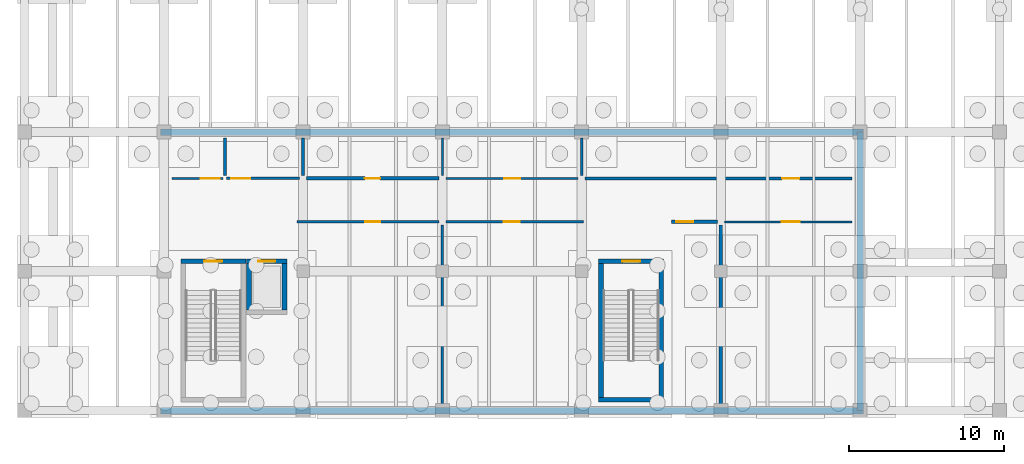
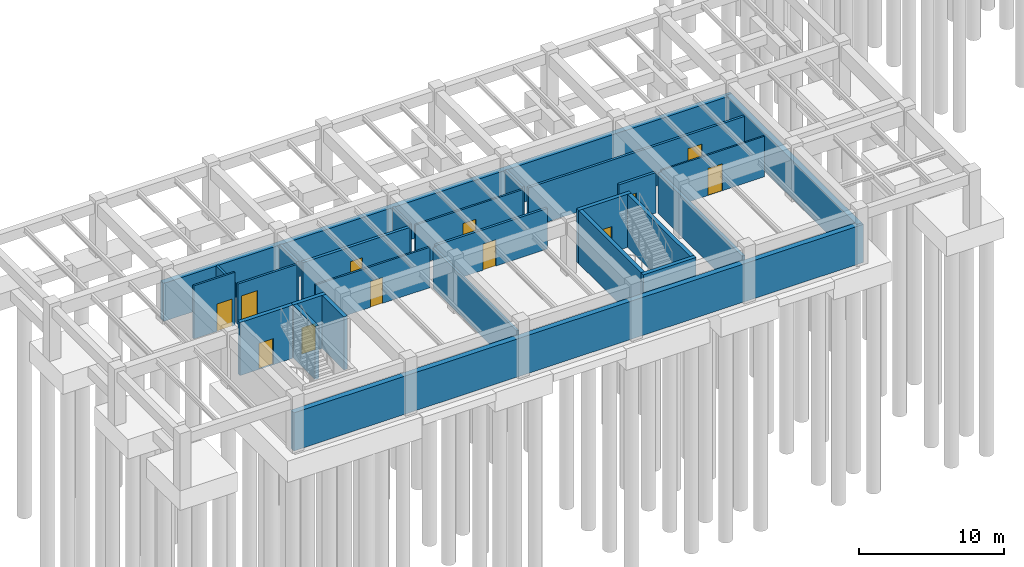
# One storey, part 9 of 16: 26 walls, 12 doors, 12 openings.
"""IFC4 building model written with IfcOpenShell, lengths in metres."""

from ifc_helpers import new_model, si_unit, direction, frame, frame_2d, origin, place, context, subcontext, project, spatial, rectangle, extrude, material, layer, layer_set, type_object, element, fill, save


model = new_model("IFC4")

# Units and contexts
model_context = context("Model", 3, precision=1e-05, world=origin(), true_north=direction((0.0, 1.0)))
body_context = subcontext(model_context, "Body", "Model", "MODEL_VIEW")
ifc_project = project(units=[si_unit("LENGTHUNIT", "METRE"), si_unit("AREAUNIT", "SQUARE_METRE"), si_unit("VOLUMEUNIT", "CUBIC_METRE"), si_unit("PLANEANGLEUNIT", "RADIAN"), si_unit("MASSUNIT", "GRAM", prefix="KILO")], contexts=[model_context])

# Site, building, storey
site_placement = place(None, origin())
site = spatial("IfcSite", under=ifc_project, at=site_placement, CompositionType="ELEMENT")
building_placement = place(site_placement, origin())
building = spatial("IfcBuilding", under=site, at=building_placement, Name="Bozkorgan Art Gallery", CompositionType="ELEMENT")
storey_placement = place(building_placement, frame((0.0, 0.0, -4.800048828125)))
storey = spatial("IfcBuildingStorey", under=building, at=storey_placement, Name="B1", CompositionType="ELEMENT", Elevation=-4.800048828125)

# Wall, opening, door
ifc_material_1 = material(Name="Concrete C40/50", Category="concrete")
ifc_layer_1 = layer(ifc_material_1, 0.300048828125, Name="Concrete C40/50")
ifc_layer_set_1 = layer_set([ifc_layer_1], Name="Concrete C40/50")
wall_type_1 = type_object("IfcWallType", Name="IWALL-CW-44", PredefinedType="SHEAR", material=ifc_layer_set_1)
wall_1_placement = place(storey_placement, frame((12.10009765625, 11.64990234375, 0.0), z_axis=(0.0, 0.0, 1.0), x_axis=(1.0, 0.0, 0.0)))
wall_1 = element("IfcWall", 1, at=wall_1_placement, inside=storey, type_object=wall_type_1, Name="CORE1 B1 stair core north shear wall", PredefinedType="SHEAR", context=body_context, shape_type="SweptSolid", body=[
    extrude(rectangle(XDim=4.199951171875, YDim=0.300048828125, at=frame_2d((2.10009765625, 0.0))), origin(), (0.0, 0.0, 1.0), 4.47998046875),
])
opening_1_placement = place(wall_1_placement, frame((2.6748046875, 0.0, 0.0), z_axis=(0.0, 0.0, 1.0), x_axis=(-1.0, 0.0, 0.0)))
opening_1 = element("IfcOpeningElement", 2, at=opening_1_placement, cuts=wall_1, Name="Opening SD-41", PredefinedType="OPENING", context=body_context, shape_type="SweptSolid", body=[
    extrude(rectangle(XDim=1.14990234375, YDim=2.199951171875, at=frame_2d((0.574951171875, 1.10009765625))), frame((0.0, 0.16015625, 0.0), z_axis=(0.0, -1.0, 0.0), x_axis=(1.0, 0.0, 0.0)), (0.0, 0.0, 1.0), 0.320068359375),
])
ifc_material_2 = material(Name="Steel S355J2", Category="steel")
door_type_1 = type_object("IfcDoorType", Name="IDOOR-SD-41", OperationType="NOTDEFINED", PredefinedType="DOOR", material=ifc_material_2)
door_1_placement = place(opening_1_placement, origin())
door_1 = element("IfcDoor", 3, at=door_1_placement, inside=storey, type_object=door_type_1, Name="ST1 B1 Fire Stair Door", OperationType="SINGLE_SWING_RIGHT", OverallHeight=2.199951171875, OverallWidth=1.14990234375, PredefinedType="DOOR", context=body_context, shape_type="SweptSolid", body=[
    extrude(rectangle(XDim=1.14990234375, YDim=2.199951171875, at=frame_2d((0.574951171875, 1.10009765625))), frame((0.0, 0.02490234375, 0.0), z_axis=(0.0, -1.0, 0.0), x_axis=(1.0, 0.0, 0.0)), (0.0, 0.0, 1.0), 0.050048828125),
])
fill(opening_1, door_1)

wall_2_placement = place(storey_placement, frame((16.35009765625, 11.64990234375, 0.0), z_axis=(0.0, 0.0, 1.0), x_axis=(1.0, 0.0, 0.0)))
wall_2 = element("IfcWall", 4, at=wall_2_placement, inside=storey, type_object=wall_type_1, Name="PL1 B1 shaft front shear wall", PredefinedType="SHEAR", context=body_context, shape_type="SweptSolid", body=[
    extrude(rectangle(XDim=2.599853515625, YDim=0.300048828125, at=frame_2d((1.2998046875, 0.0))), origin(), (0.0, 0.0, 1.0), 4.47998046875),
])
opening_2_placement = place(wall_2_placement, frame((0.75, 0.0, 0.0)))
opening_2 = element("IfcOpeningElement", 5, at=opening_2_placement, cuts=wall_2, Name="Opening LD-25", PredefinedType="OPENING", context=body_context, shape_type="SweptSolid", body=[
    extrude(rectangle(XDim=1.10009765625, YDim=2.199951171875, at=frame_2d((0.550048828125, 1.10009765625))), frame((0.0, 0.16015625, 0.0), z_axis=(0.0, -1.0, 0.0), x_axis=(1.0, 0.0, 0.0)), (0.0, 0.0, 1.0), 0.320068359375),
])
door_type_2 = type_object("IfcDoorType", Name="IDOOR-LD-25", OperationType="NOTDEFINED", PredefinedType="DOOR", material=ifc_material_2)
door_2_placement = place(opening_2_placement, origin())
door_2 = element("IfcDoor", 6, at=door_2_placement, inside=storey, type_object=door_type_2, Name="LD-PL1-B1 Lift Landing Door", OperationType="SLIDING_TO_LEFT", OverallHeight=2.199951171875, OverallWidth=1.10009765625, PredefinedType="DOOR", context=body_context, shape_type="SweptSolid", body=[
    extrude(rectangle(XDim=1.10009765625, YDim=2.199951171875, at=frame_2d((0.550048828125, 1.10009765625))), frame((0.0, 0.02490234375, 0.0), z_axis=(0.0, -1.0, 0.0), x_axis=(1.0, 0.0, 0.0)), (0.0, 0.0, 1.0), 0.050048828125),
])
fill(opening_2, door_2)

# Walls
for number, where, z_axis, x_axis, name in (
    (7, (18.800048828125, 8.5, 0.0), (0.0, 0.0, 1.0), (0.0, 1.0, 0.0), "PL1 B1 shaft E shear wall"),
    (8, (16.5, 8.5, 0.0), (0.0, 0.0, 1.0), (0.0, 1.0, 0.0), "PL1 B1 shaft W shear wall"),
):
    element("IfcWall", number, at=place(storey_placement, frame(where, z_axis=z_axis, x_axis=x_axis)), inside=storey, type_object=wall_type_1, Name=name, PredefinedType="SHEAR", context=body_context, shape_type="SweptSolid", body=[
        extrude(rectangle(XDim=3.0, YDim=0.300048828125, at=frame_2d((1.5, 0.0))), origin(), (0.0, 0.0, 1.0), 4.47998046875),
    ])

# Wall, opening, door
wall_3_placement = place(storey_placement, frame((39.10009765625, 11.64990234375, 0.0), z_axis=(0.0, 0.0, 1.0), x_axis=(1.0, 0.0, 0.0)))
wall_3 = element("IfcWall", 9, at=wall_3_placement, inside=storey, type_object=wall_type_1, Name="CORE7 B1 stair core north shear wall", PredefinedType="SHEAR", context=body_context, shape_type="SweptSolid", body=[
    extrude(rectangle(XDim=4.199951171875, YDim=0.300048828125, at=frame_2d((2.10009765625, 0.0))), origin(), (0.0, 0.0, 1.0), 4.47998046875),
])
opening_3_placement = place(wall_3_placement, frame((2.6748046875, 0.0, 0.0), z_axis=(0.0, 0.0, 1.0), x_axis=(-1.0, 0.0, 0.0)))
opening_3 = element("IfcOpeningElement", 10, at=opening_3_placement, cuts=wall_3, Name="Opening SD-41", PredefinedType="OPENING", context=body_context, shape_type="SweptSolid", body=[
    extrude(rectangle(XDim=1.14990234375, YDim=2.199951171875, at=frame_2d((0.574951171875, 1.10009765625))), frame((0.0, 0.16015625, 0.0), z_axis=(0.0, -1.0, 0.0), x_axis=(1.0, 0.0, 0.0)), (0.0, 0.0, 1.0), 0.320068359375),
])
door_3_placement = place(opening_3_placement, origin())
door_3 = element("IfcDoor", 11, at=door_3_placement, inside=storey, type_object=door_type_1, Name="ST12 B1 Fire Stair Door", OperationType="SINGLE_SWING_RIGHT", OverallHeight=2.199951171875, OverallWidth=1.14990234375, PredefinedType="DOOR", context=body_context, shape_type="SweptSolid", body=[
    extrude(rectangle(XDim=1.14990234375, YDim=2.199951171875, at=frame_2d((0.574951171875, 1.10009765625))), frame((0.0, 0.02490234375, 0.0), z_axis=(0.0, -1.0, 0.0), x_axis=(1.0, 0.0, 0.0)), (0.0, 0.0, 1.0), 0.050048828125),
])
fill(opening_3, door_3)

# Walls
wall_4_placement = place(storey_placement, frame((39.10009765625, 2.699951171875, 0.0), z_axis=(0.0, 0.0, 1.0), x_axis=(1.0, 0.0, 0.0)))
element("IfcWall", 12, at=wall_4_placement, inside=storey, type_object=wall_type_1, Name="CORE7 B1 stair core S shear wall", PredefinedType="SHEAR", context=body_context, shape_type="SweptSolid", body=[
    extrude(rectangle(XDim=4.199951171875, YDim=0.300048828125, at=frame_2d((2.10009765625, 0.0))), origin(), (0.0, 0.0, 1.0), 4.47998046875),
])
for number, where, z_axis, x_axis, name in (
    (13, (39.25, 2.85009765625, 0.0), (0.0, 0.0, 1.0), (0.0, 1.0, 0.0), "CORE7 B1 stair core W shear wall"),
    (14, (43.14990234375, 2.85009765625, 0.0), (0.0, 0.0, 1.0), (0.0, 1.0, 0.0), "CORE7 B1 stair core E shear wall"),
):
    element("IfcWall", number, at=place(storey_placement, frame(where, z_axis=z_axis, x_axis=x_axis)), inside=storey, type_object=wall_type_1, Name=name, PredefinedType="SHEAR", context=body_context, shape_type="SweptSolid", body=[
        extrude(rectangle(XDim=8.64990234375, YDim=0.300048828125, at=frame_2d((4.324951171875, 0.0))), origin(), (0.0, 0.0, 1.0), 4.47998046875),
    ])

# Wall, opening, door
ifc_material_3 = material(Name="Acoustic Gypsum & Mineral Wool Partition")
ifc_layer_2 = layer(ifc_material_3, 0.22998046875, Name="Acoustic Gypsum & Mineral Wool Partition")
ifc_layer_set_2 = layer_set([ifc_layer_2], Name="Acoustic Gypsum & Mineral Wool Partition")
wall_type_2 = type_object("IfcWallType", Name="IWALL-PR-08", PredefinedType="PARTITIONING", material=ifc_layer_set_2)
wall_5_placement = place(storey_placement, frame((20.219970703125, 17.0, 0.0), z_axis=(0.0, 0.0, 1.0), x_axis=(1.0, 0.0, 0.0)))
wall_5 = element("IfcWall", 15, at=wall_5_placement, inside=storey, type_object=wall_type_2, Name="V1 B1 acoustic partition wall 11", PredefinedType="PARTITIONING", context=body_context, shape_type="SweptSolid", body=[
    extrude(rectangle(XDim=8.56005859375, YDim=0.22998046875, at=frame_2d((4.280029296875, 0.0))), origin(), (0.0, 0.0, 1.0), 3.4150390625),
])
opening_4_placement = place(wall_5_placement, frame((4.760009765625, 0.0, 0.0), z_axis=(0.0, 0.0, 1.0), x_axis=(-1.0, 0.0, 0.0)))
opening_4 = element("IfcOpeningElement", 16, at=opening_4_placement, cuts=wall_5, Name="Opening FD-75", PredefinedType="OPENING", context=body_context, shape_type="SweptSolid", body=[
    extrude(rectangle(XDim=0.97998046875, YDim=2.179931640625, at=frame_2d((0.489990234375, 1.08984375))), frame((0.0, 0.125, 0.0), z_axis=(0.0, -1.0, 0.0), x_axis=(1.0, 0.0, 0.0)), (0.0, 0.0, 1.0), 0.25),
])
ifc_material_4 = material(Name="Oiled European Oak Joinery")
door_type_3 = type_object("IfcDoorType", Name="IDOOR-FD-75", OperationType="NOTDEFINED", PredefinedType="DOOR", material=ifc_material_4)
door_4_placement = place(opening_4_placement, origin())
door_4 = element("IfcDoor", 17, at=door_4_placement, inside=storey, type_object=door_type_3, Name="Packing Materials Store Door", OperationType="SINGLE_SWING_LEFT", OverallHeight=2.179931640625, OverallWidth=0.97998046875, PredefinedType="DOOR", context=body_context, shape_type="SweptSolid", body=[
    extrude(rectangle(XDim=0.97998046875, YDim=2.179931640625, at=frame_2d((0.489990234375, 1.08984375))), frame((0.0, 0.02490234375, 0.0), z_axis=(0.0, -1.0, 0.0), x_axis=(1.0, 0.0, 0.0)), (0.0, 0.0, 1.0), 0.050048828125),
])
fill(opening_4, door_4)

ifc_layer_3 = layer(ifc_material_3, 0.2099609375, Name="Acoustic Gypsum & Mineral Wool Partition")
ifc_layer_set_3 = layer_set([ifc_layer_3], Name="Acoustic Gypsum & Mineral Wool Partition")
wall_type_3 = type_object("IfcWallType", Name="IWALL-PR-38", PredefinedType="PARTITIONING", material=ifc_layer_set_3)
wall_6_placement = place(storey_placement, frame((43.820068359375, 14.199951171875, 0.0), z_axis=(0.0, 0.0, 1.0), x_axis=(1.0, 0.0, 0.0)))
wall_6 = element("IfcWall", 18, at=wall_6_placement, inside=storey, type_object=wall_type_3, Name="V1 B1 acoustic partition wall 4", PredefinedType="PARTITIONING", context=body_context, shape_type="SweptSolid", body=[
    extrude(rectangle(XDim=2.9599609375, YDim=0.2099609375, at=frame_2d((1.47998046875, 0.0))), origin(), (0.0, 0.0, 1.0), 3.4150390625),
])
opening_5_placement = place(wall_6_placement, frame((0.300048828125, 0.0, 0.0)))
opening_5 = element("IfcOpeningElement", 19, at=opening_5_placement, cuts=wall_6, Name="Opening FD-44", PredefinedType="OPENING", context=body_context, shape_type="SweptSolid", body=[
    extrude(rectangle(XDim=1.080078125, YDim=2.239990234375, at=frame_2d((0.5400390625, 1.1201171875))), frame((0.0, 0.114990234375, 0.0), z_axis=(0.0, -1.0, 0.0), x_axis=(1.0, 0.0, 0.0)), (0.0, 0.0, 1.0), 0.22998046875),
])
door_type_4 = type_object("IfcDoorType", Name="IDOOR-FD-44", OperationType="NOTDEFINED", PredefinedType="DOOR", material=ifc_material_4)
door_5_placement = place(opening_5_placement, origin())
door_5 = element("IfcDoor", 20, at=door_5_placement, inside=storey, type_object=door_type_4, Name="HVAC Chiller Plantroom Door", OperationType="SINGLE_SWING_LEFT", OverallHeight=2.239990234375, OverallWidth=1.080078125, PredefinedType="DOOR", context=body_context, shape_type="SweptSolid", body=[
    extrude(rectangle(XDim=1.080078125, YDim=2.239990234375, at=frame_2d((0.5400390625, 1.1201171875))), frame((0.0, 0.02490234375, 0.0), z_axis=(0.0, -1.0, 0.0), x_axis=(1.0, 0.0, 0.0)), (0.0, 0.0, 1.0), 0.050048828125),
])
fill(opening_5, door_5)

ifc_layer_4 = layer(ifc_material_3, 0.169921875, Name="Acoustic Gypsum & Mineral Wool Partition")
ifc_layer_set_4 = layer_set([ifc_layer_4], Name="Acoustic Gypsum & Mineral Wool Partition")
wall_type_4 = type_object("IfcWallType", Name="IWALL-PR-40", PredefinedType="PARTITIONING", material=ifc_layer_set_4)
wall_7_placement = place(storey_placement, frame((15.06005859375, 17.0, 0.0), z_axis=(0.0, 0.0, 1.0), x_axis=(1.0, 0.0, 0.0)))
wall_7 = element("IfcWall", 21, at=wall_7_placement, inside=storey, type_object=wall_type_4, Name="V1 B1 acoustic partition wall 8", PredefinedType="PARTITIONING", context=body_context, shape_type="SweptSolid", body=[
    extrude(rectangle(XDim=4.719970703125, YDim=0.169921875, at=frame_2d((2.35986328125, 0.0))), origin(), (0.0, 0.0, 1.0), 3.4150390625),
])
opening_6_placement = place(wall_7_placement, frame((1.5400390625, 0.0, 0.0), z_axis=(0.0, 0.0, 1.0), x_axis=(-1.0, 0.0, 0.0)))
opening_6 = element("IfcOpeningElement", 22, at=opening_6_placement, cuts=wall_7, Name="Opening FD-40", PredefinedType="OPENING", context=body_context, shape_type="SweptSolid", body=[
    extrude(rectangle(XDim=1.239990234375, YDim=2.320068359375, at=frame_2d((0.6201171875, 1.16015625))), frame((0.0, 0.094970703125, 0.0), z_axis=(0.0, -1.0, 0.0), x_axis=(1.0, 0.0, 0.0)), (0.0, 0.0, 1.0), 0.18994140625),
])
door_type_5 = type_object("IfcDoorType", Name="IDOOR-FD-40", OperationType="NOTDEFINED", PredefinedType="DOOR", material=ifc_material_4)
door_6_placement = place(opening_6_placement, origin())
door_6 = element("IfcDoor", 23, at=door_6_placement, inside=storey, type_object=door_type_5, Name="Cleaners' Store Door", OperationType="SINGLE_SWING_RIGHT", OverallHeight=2.320068359375, OverallWidth=1.239990234375, PredefinedType="DOOR", context=body_context, shape_type="SweptSolid", body=[
    extrude(rectangle(XDim=1.239990234375, YDim=2.320068359375, at=frame_2d((0.6201171875, 1.16015625))), frame((0.0, 0.02490234375, 0.0), z_axis=(0.0, -1.0, 0.0), x_axis=(1.0, 0.0, 0.0)), (0.0, 0.0, 1.0), 0.050048828125),
])
fill(opening_6, door_6)

ifc_layer_5 = layer(ifc_material_3, 0.14990234375, Name="Acoustic Gypsum & Mineral Wool Partition")
ifc_layer_set_5 = layer_set([ifc_layer_5], Name="Acoustic Gypsum & Mineral Wool Partition")
wall_type_5 = type_object("IfcWallType", Name="IWALL-PR-55", PredefinedType="PARTITIONING", material=ifc_layer_set_5)
wall_8_placement = place(storey_placement, frame((19.6201171875, 14.199951171875, 0.0), z_axis=(0.0, 0.0, 1.0), x_axis=(1.0, 0.0, 0.0)))
wall_8 = element("IfcWall", 24, at=wall_8_placement, inside=storey, type_object=wall_type_5, Name="V1 B1 acoustic partition wall 1", PredefinedType="PARTITIONING", context=body_context, shape_type="SweptSolid", body=[
    extrude(rectangle(XDim=9.159912109375, YDim=0.14990234375, at=frame_2d((4.580078125, 0.0))), origin(), (0.0, 0.0, 1.0), 3.4150390625),
])
opening_7_placement = place(wall_8_placement, frame((4.386474609375, 0.0, 0.0)))
opening_7 = element("IfcOpeningElement", 25, at=opening_7_placement, cuts=wall_8, Name="Opening FD-75", PredefinedType="OPENING", context=body_context, shape_type="SweptSolid", body=[
    extrude(rectangle(XDim=0.97998046875, YDim=2.179931640625, at=frame_2d((0.489990234375, 1.08984375))), frame((0.0, 0.0849609375, 0.0), z_axis=(0.0, -1.0, 0.0), x_axis=(1.0, 0.0, 0.0)), (0.0, 0.0, 1.0), 0.169921875),
])
door_7_placement = place(opening_7_placement, origin())
door_7 = element("IfcDoor", 26, at=door_7_placement, inside=storey, type_object=door_type_3, Name="Painting Storage Vault Door", OperationType="SINGLE_SWING_LEFT", OverallHeight=2.179931640625, OverallWidth=0.97998046875, PredefinedType="DOOR", context=body_context, shape_type="SweptSolid", body=[
    extrude(rectangle(XDim=0.97998046875, YDim=2.179931640625, at=frame_2d((0.489990234375, 1.08984375))), frame((0.0, 0.02490234375, 0.0), z_axis=(0.0, -1.0, 0.0), x_axis=(1.0, 0.0, 0.0)), (0.0, 0.0, 1.0), 0.050048828125),
])
fill(opening_7, door_7)

wall_9_placement = place(storey_placement, frame((11.5400390625, 17.0, 0.0), z_axis=(0.0, 0.0, 1.0), x_axis=(1.0, 0.0, 0.0)))
wall_9 = element("IfcWall", 27, at=wall_9_placement, inside=storey, type_object=wall_type_5, Name="V1 B1 acoustic partition wall 7", PredefinedType="PARTITIONING", context=body_context, shape_type="SweptSolid", body=[
    extrude(rectangle(XDim=3.280029296875, YDim=0.14990234375, at=frame_2d((1.64013671875, 0.0))), origin(), (0.0, 0.0, 1.0), 4.47998046875),
])
opening_8_placement = place(wall_9_placement, frame((3.06005859375, 0.0, 0.0), z_axis=(0.0, 0.0, 1.0), x_axis=(-1.0, 0.0, 0.0)))
opening_8 = element("IfcOpeningElement", 28, at=opening_8_placement, cuts=wall_9, Name="Opening FD-05", PredefinedType="OPENING", context=body_context, shape_type="SweptSolid", body=[
    extrude(rectangle(XDim=1.199951171875, YDim=2.300048828125, at=frame_2d((0.60009765625, 1.14990234375))), frame((0.0, 0.0849609375, 0.0), z_axis=(0.0, -1.0, 0.0), x_axis=(1.0, 0.0, 0.0)), (0.0, 0.0, 1.0), 0.169921875),
])
door_type_6 = type_object("IfcDoorType", Name="IDOOR-FD-05", OperationType="NOTDEFINED", PredefinedType="DOOR", material=ifc_material_4)
door_8_placement = place(opening_8_placement, origin())
door_8 = element("IfcDoor", 29, at=door_8_placement, inside=storey, type_object=door_type_6, Name="Accessible WC Door", OperationType="SINGLE_SWING_LEFT", OverallHeight=2.300048828125, OverallWidth=1.199951171875, PredefinedType="DOOR", context=body_context, shape_type="SweptSolid", body=[
    extrude(rectangle(XDim=1.199951171875, YDim=2.300048828125, at=frame_2d((0.60009765625, 1.14990234375))), frame((0.0, 0.02490234375, 0.0), z_axis=(0.0, -1.0, 0.0), x_axis=(1.0, 0.0, 0.0)), (0.0, 0.0, 1.0), 0.050048828125),
])
fill(opening_8, door_8)

wall_10_placement = place(storey_placement, frame((29.219970703125, 17.0, 0.0), z_axis=(0.0, 0.0, 1.0), x_axis=(1.0, 0.0, 0.0)))
wall_10 = element("IfcWall", 30, at=wall_10_placement, inside=storey, type_object=wall_type_5, Name="V1 B1 acoustic partition wall 13", PredefinedType="PARTITIONING", context=body_context, shape_type="SweptSolid", body=[
    extrude(rectangle(XDim=8.56005859375, YDim=0.14990234375, at=frame_2d((4.280029296875, 0.0))), origin(), (0.0, 0.0, 1.0), 3.4150390625),
])
opening_9_placement = place(wall_10_placement, frame((4.820068359375, 0.0, 0.0), z_axis=(0.0, 0.0, 1.0), x_axis=(-1.0, 0.0, 0.0)))
opening_9 = element("IfcOpeningElement", 31, at=opening_9_placement, cuts=wall_10, Name="Opening FD-96", PredefinedType="OPENING", context=body_context, shape_type="SweptSolid", body=[
    extrude(rectangle(XDim=1.0400390625, YDim=2.219970703125, at=frame_2d((0.52001953125, 1.10986328125))), frame((0.0, 0.0849609375, 0.0), z_axis=(0.0, -1.0, 0.0), x_axis=(1.0, 0.0, 0.0)), (0.0, 0.0, 1.0), 0.169921875),
])
door_type_7 = type_object("IfcDoorType", Name="IDOOR-FD-96", OperationType="NOTDEFINED", PredefinedType="DOOR", material=ifc_material_4)
door_9_placement = place(opening_9_placement, origin())
door_9 = element("IfcDoor", 32, at=door_9_placement, inside=storey, type_object=door_type_7, Name="Conservation Tool Room Door", OperationType="SINGLE_SWING_RIGHT", OverallHeight=2.219970703125, OverallWidth=1.0400390625, PredefinedType="DOOR", context=body_context, shape_type="SweptSolid", body=[
    extrude(rectangle(XDim=1.0400390625, YDim=2.219970703125, at=frame_2d((0.52001953125, 1.10986328125))), frame((0.0, 0.02490234375, 0.0), z_axis=(0.0, -1.0, 0.0), x_axis=(1.0, 0.0, 0.0)), (0.0, 0.0, 1.0), 0.050048828125),
])
fill(opening_9, door_9)

ifc_layer_6 = layer(ifc_material_3, 0.18994140625, Name="Acoustic Gypsum & Mineral Wool Partition")
ifc_layer_set_6 = layer_set([ifc_layer_6], Name="Acoustic Gypsum & Mineral Wool Partition")
wall_type_6 = type_object("IfcWallType", Name="IWALL-PR-66", PredefinedType="PARTITIONING", material=ifc_layer_set_6)
wall_11_placement = place(storey_placement, frame((29.219970703125, 14.199951171875, 0.0), z_axis=(0.0, 0.0, 1.0), x_axis=(1.0, 0.0, 0.0)))
wall_11 = element("IfcWall", 33, at=wall_11_placement, inside=storey, type_object=wall_type_6, Name="V1 B1 acoustic partition wall 3", PredefinedType="PARTITIONING", context=body_context, shape_type="SweptSolid", body=[
    extrude(rectangle(XDim=8.909912109375, YDim=0.18994140625, at=frame_2d((4.455078125, 0.0))), origin(), (0.0, 0.0, 1.0), 3.4150390625),
])
opening_10_placement = place(wall_11_placement, frame((3.751953125, 0.0, 0.0)))
opening_10 = element("IfcOpeningElement", 34, at=opening_10_placement, cuts=wall_11, Name="Opening FD-96", PredefinedType="OPENING", context=body_context, shape_type="SweptSolid", body=[
    extrude(rectangle(XDim=1.0400390625, YDim=2.219970703125, at=frame_2d((0.52001953125, 1.10986328125))), frame((0.0, 0.10498046875, 0.0), z_axis=(0.0, -1.0, 0.0), x_axis=(1.0, 0.0, 0.0)), (0.0, 0.0, 1.0), 0.2099609375),
])
door_10_placement = place(opening_10_placement, origin())
door_10 = element("IfcDoor", 35, at=door_10_placement, inside=storey, type_object=door_type_7, Name="Sculpture Crate Store Door", OperationType="SINGLE_SWING_RIGHT", OverallHeight=2.219970703125, OverallWidth=1.0400390625, PredefinedType="DOOR", context=body_context, shape_type="SweptSolid", body=[
    extrude(rectangle(XDim=1.0400390625, YDim=2.219970703125, at=frame_2d((0.52001953125, 1.10986328125))), frame((0.0, 0.02490234375, 0.0), z_axis=(0.0, -1.0, 0.0), x_axis=(1.0, 0.0, 0.0)), (0.0, 0.0, 1.0), 0.050048828125),
])
fill(opening_10, door_10)

wall_12_placement = place(storey_placement, frame((38.219970703125, 17.0, 0.0), z_axis=(0.0, 0.0, 1.0), x_axis=(1.0, 0.0, 0.0)))
wall_12 = element("IfcWall", 36, at=wall_12_placement, inside=storey, type_object=wall_type_6, Name="V1 B1 acoustic partition wall 15", PredefinedType="PARTITIONING", context=body_context, shape_type="SweptSolid", body=[
    extrude(rectangle(XDim=17.239990234375, YDim=0.18994140625, at=frame_2d((8.6201171875, 0.0))), origin(), (0.0, 0.0, 1.0), 3.4150390625),
])
opening_11_placement = place(wall_12_placement, frame((13.851806640625, 0.0, 0.0), z_axis=(0.0, 0.0, 1.0), x_axis=(-1.0, 0.0, 0.0)))
opening_11 = element("IfcOpeningElement", 37, at=opening_11_placement, cuts=wall_12, Name="Opening FD-89", PredefinedType="OPENING", context=body_context, shape_type="SweptSolid", body=[
    extrude(rectangle(XDim=1.1201171875, YDim=2.260009765625, at=frame_2d((0.56005859375, 1.1298828125))), frame((0.0, 0.10498046875, 0.0), z_axis=(0.0, -1.0, 0.0), x_axis=(1.0, 0.0, 0.0)), (0.0, 0.0, 1.0), 0.2099609375),
])
door_type_8 = type_object("IfcDoorType", Name="IDOOR-FD-89", OperationType="NOTDEFINED", PredefinedType="DOOR", material=ifc_material_4)
door_11_placement = place(opening_11_placement, origin())
door_11 = element("IfcDoor", 38, at=door_11_placement, inside=storey, type_object=door_type_8, Name="Staff Locker Room Door", OperationType="SINGLE_SWING_LEFT", OverallHeight=2.260009765625, OverallWidth=1.1201171875, PredefinedType="DOOR", context=body_context, shape_type="SweptSolid", body=[
    extrude(rectangle(XDim=1.1201171875, YDim=2.260009765625, at=frame_2d((0.56005859375, 1.1298828125))), frame((0.0, 0.02490234375, 0.0), z_axis=(0.0, -1.0, 0.0), x_axis=(1.0, 0.0, 0.0)), (0.0, 0.0, 1.0), 0.050048828125),
])
fill(opening_11, door_11)

ifc_layer_7 = layer(ifc_material_3, 0.1298828125, Name="Acoustic Gypsum & Mineral Wool Partition")
ifc_layer_set_7 = layer_set([ifc_layer_7], Name="Acoustic Gypsum & Mineral Wool Partition")
wall_type_7 = type_object("IfcWallType", Name="IWALL-PR-76", PredefinedType="PARTITIONING", material=ifc_layer_set_7)
wall_13_placement = place(storey_placement, frame((47.219970703125, 14.199951171875, 0.0), z_axis=(0.0, 0.0, 1.0), x_axis=(1.0, 0.0, 0.0)))
wall_13 = element("IfcWall", 39, at=wall_13_placement, inside=storey, type_object=wall_type_7, Name="V1 B1 acoustic partition wall 6", PredefinedType="PARTITIONING", context=body_context, shape_type="SweptSolid", body=[
    extrude(rectangle(XDim=8.239990234375, YDim=0.1298828125, at=frame_2d((4.1201171875, 0.0))), origin(), (0.0, 0.0, 1.0), 3.4150390625),
])
opening_12_placement = place(wall_13_placement, frame((3.720703125, 0.0, 0.0)))
opening_12 = element("IfcOpeningElement", 40, at=opening_12_placement, cuts=wall_13, Name="Opening FD-03", PredefinedType="OPENING", context=body_context, shape_type="SweptSolid", body=[
    extrude(rectangle(XDim=1.159912109375, YDim=2.280029296875, at=frame_2d((0.580078125, 1.14013671875))), frame((0.0, 0.074951171875, 0.0), z_axis=(0.0, -1.0, 0.0), x_axis=(1.0, 0.0, 0.0)), (0.0, 0.0, 1.0), 0.14990234375),
])
door_type_9 = type_object("IfcDoorType", Name="IDOOR-FD-03", OperationType="NOTDEFINED", PredefinedType="DOOR", material=ifc_material_4)
door_12_placement = place(opening_12_placement, origin())
door_12 = element("IfcDoor", 41, at=door_12_placement, inside=storey, type_object=door_type_9, Name="Electrical Switchgear Room Door", OperationType="SINGLE_SWING_RIGHT", OverallHeight=2.280029296875, OverallWidth=1.159912109375, PredefinedType="DOOR", context=body_context, shape_type="SweptSolid", body=[
    extrude(rectangle(XDim=1.159912109375, YDim=2.280029296875, at=frame_2d((0.580078125, 1.14013671875))), frame((0.0, 0.02490234375, 0.0), z_axis=(0.0, -1.0, 0.0), x_axis=(1.0, 0.0, 0.0)), (0.0, 0.0, 1.0), 0.050048828125),
])
fill(opening_12, door_12)

# Walls
ifc_layer_8 = layer(ifc_material_3, 0.169921875, Name="Acoustic Gypsum & Mineral Wool Partition")
ifc_layer_set_8 = layer_set([ifc_layer_8], Name="Acoustic Gypsum & Mineral Wool Partition")
wall_type_8 = type_object("IfcWallType", Name="IWALL-PW-02", PredefinedType="PARTITIONING", material=ifc_layer_set_8)
wall_14_placement = place(storey_placement, frame((29.0, 2.39990234375, 0.0), z_axis=(0.0, 0.0, 1.0), x_axis=(0.0, 1.0, 0.0)))
element("IfcWall", 42, at=wall_14_placement, inside=storey, type_object=wall_type_8, Name="V1 B1 acoustic partition wall 2", PredefinedType="PARTITIONING", context=body_context, shape_type="SweptSolid", body=[
    extrude(rectangle(XDim=11.60009765625, YDim=0.169921875, at=frame_2d((5.800048828125, 0.0))), origin(), (0.0, 0.0, 1.0), 3.4150390625),
])
wall_15_placement = place(storey_placement, frame((38.0, 17.199951171875, 0.0), z_axis=(0.0, 0.0, 1.0), x_axis=(0.0, 1.0, 0.0)))
element("IfcWall", 43, at=wall_15_placement, inside=storey, type_object=wall_type_8, Name="V1 B1 acoustic partition wall 14", PredefinedType="PARTITIONING", context=body_context, shape_type="SweptSolid", body=[
    extrude(rectangle(XDim=2.400146484375, YDim=0.169921875, at=frame_2d((1.2001953125, 0.0))), origin(), (0.0, 0.0, 1.0), 3.4150390625),
])
ifc_layer_9 = layer(ifc_material_3, 0.18994140625, Name="Acoustic Gypsum & Mineral Wool Partition")
ifc_layer_set_9 = layer_set([ifc_layer_9], Name="Acoustic Gypsum & Mineral Wool Partition")
wall_type_9 = type_object("IfcWallType", Name="IWALL-PW-23", PredefinedType="PARTITIONING", material=ifc_layer_set_9)
wall_16_placement = place(storey_placement, frame((14.93994140625, 17.199951171875, 0.0), z_axis=(0.0, 0.0, 1.0), x_axis=(0.0, 1.0, 0.0)))
element("IfcWall", 44, at=wall_16_placement, inside=storey, type_object=wall_type_9, Name="V1 B1 acoustic partition wall 9", PredefinedType="PARTITIONING", context=body_context, shape_type="SweptSolid", body=[
    extrude(rectangle(XDim=2.400146484375, YDim=0.18994140625, at=frame_2d((1.2001953125, 0.0))), origin(), (0.0, 0.0, 1.0), 3.4150390625),
])
ifc_layer_10 = layer(ifc_material_3, 0.2099609375, Name="Acoustic Gypsum & Mineral Wool Partition")
ifc_layer_set_10 = layer_set([ifc_layer_10], Name="Acoustic Gypsum & Mineral Wool Partition")
wall_type_10 = type_object("IfcWallType", Name="IWALL-PW-72", PredefinedType="PARTITIONING", material=ifc_layer_set_10)
wall_17_placement = place(storey_placement, frame((20.0, 17.199951171875, 0.0), z_axis=(0.0, 0.0, 1.0), x_axis=(0.0, 1.0, 0.0)))
element("IfcWall", 45, at=wall_17_placement, inside=storey, type_object=wall_type_10, Name="V1 B1 acoustic partition wall 10", PredefinedType="PARTITIONING", context=body_context, shape_type="SweptSolid", body=[
    extrude(rectangle(XDim=2.400146484375, YDim=0.2099609375, at=frame_2d((1.2001953125, 0.0))), origin(), (0.0, 0.0, 1.0), 3.4150390625),
])
ifc_layer_11 = layer(ifc_material_3, 0.22998046875, Name="Acoustic Gypsum & Mineral Wool Partition")
ifc_layer_set_11 = layer_set([ifc_layer_11], Name="Acoustic Gypsum & Mineral Wool Partition")
wall_type_11 = type_object("IfcWallType", Name="IWALL-PW-96", PredefinedType="PARTITIONING", material=ifc_layer_set_11)
wall_18_placement = place(storey_placement, frame((47.0, 2.39990234375, 0.0), z_axis=(0.0, 0.0, 1.0), x_axis=(0.0, 1.0, 0.0)))
element("IfcWall", 46, at=wall_18_placement, inside=storey, type_object=wall_type_11, Name="V1 B1 acoustic partition wall 5", PredefinedType="PARTITIONING", context=body_context, shape_type="SweptSolid", body=[
    extrude(rectangle(XDim=11.60009765625, YDim=0.22998046875, at=frame_2d((5.800048828125, 0.0))), origin(), (0.0, 0.0, 1.0), 3.4150390625),
])
ifc_layer_12 = layer(ifc_material_3, 0.1298828125, Name="Acoustic Gypsum & Mineral Wool Partition")
ifc_layer_set_12 = layer_set([ifc_layer_12], Name="Acoustic Gypsum & Mineral Wool Partition")
wall_type_12 = type_object("IfcWallType", Name="IWALL-PW-97", PredefinedType="PARTITIONING", material=ifc_layer_set_12)
wall_19_placement = place(storey_placement, frame((29.0, 17.199951171875, 0.0), z_axis=(0.0, 0.0, 1.0), x_axis=(0.0, 1.0, 0.0)))
element("IfcWall", 47, at=wall_19_placement, inside=storey, type_object=wall_type_12, Name="V1 B1 acoustic partition wall 12", PredefinedType="PARTITIONING", context=body_context, shape_type="SweptSolid", body=[
    extrude(rectangle(XDim=2.400146484375, YDim=0.1298828125, at=frame_2d((1.2001953125, 0.0))), origin(), (0.0, 0.0, 1.0), 3.4150390625),
])
ifc_layer_13 = layer(ifc_material_1, 0.419921875, Name="Concrete C40/50")
ifc_layer_set_13 = layer_set([ifc_layer_13], Name="Concrete C40/50")
wall_type_13 = type_object("IfcWallType", Name="WALL-RW-98", PredefinedType="SOLIDWALL", material=ifc_layer_set_13)
for number, where, z_axis, x_axis, name in (
    (48, (10.7900390625, 2.0, 0.0), (0.0, 0.0, 1.0), (1.0, 0.0, 0.0), "V1 B1 perimeter retaining wall (S)"),
    (49, (10.7900390625, 20.0, 0.0), (0.0, 0.0, 1.0), (1.0, 0.0, 0.0), "V1 B1 perimeter retaining wall (N)"),
):
    element("IfcWall", number, at=place(storey_placement, frame(where, z_axis=z_axis, x_axis=x_axis)), inside=storey, type_object=wall_type_13, Name=name, PredefinedType="SOLIDWALL", context=body_context, shape_type="SweptSolid", body=[
        extrude(rectangle(XDim=45.419921875, YDim=0.419921875, at=frame_2d((22.7099609375, 0.0))), origin(), (0.0, 0.0, 1.0), 3.215087890625),
    ])
wall_20_placement = place(storey_placement, frame((56.0, 2.0, 0.0), z_axis=(0.0, 0.0, 1.0), x_axis=(0.0, 1.0, 0.0)))
element("IfcWall", 50, at=wall_20_placement, inside=storey, type_object=wall_type_13, Name="V1 B1 perimeter retaining wall (E)", PredefinedType="SOLIDWALL", context=body_context, shape_type="SweptSolid", body=[
    extrude(rectangle(XDim=18.0, YDim=0.419921875, at=frame_2d((9.0, 0.0))), origin(), (0.0, 0.0, 1.0), 3.215087890625),
])

save(model, "model.ifc")
